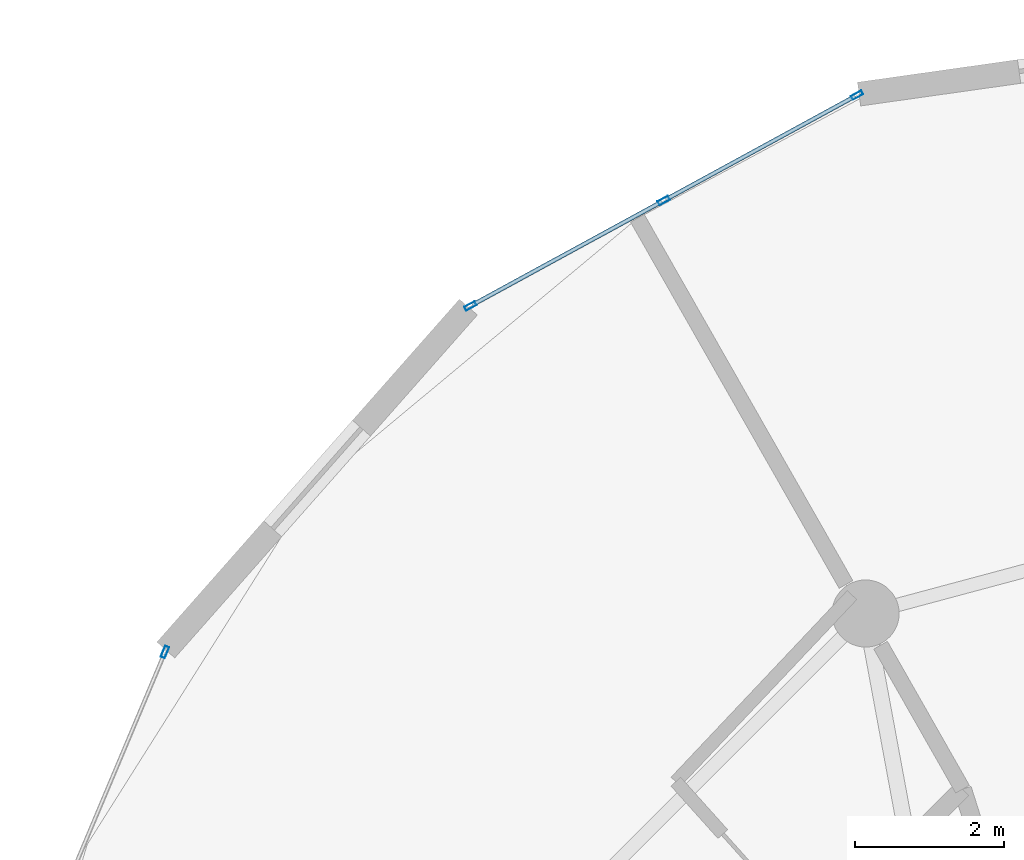
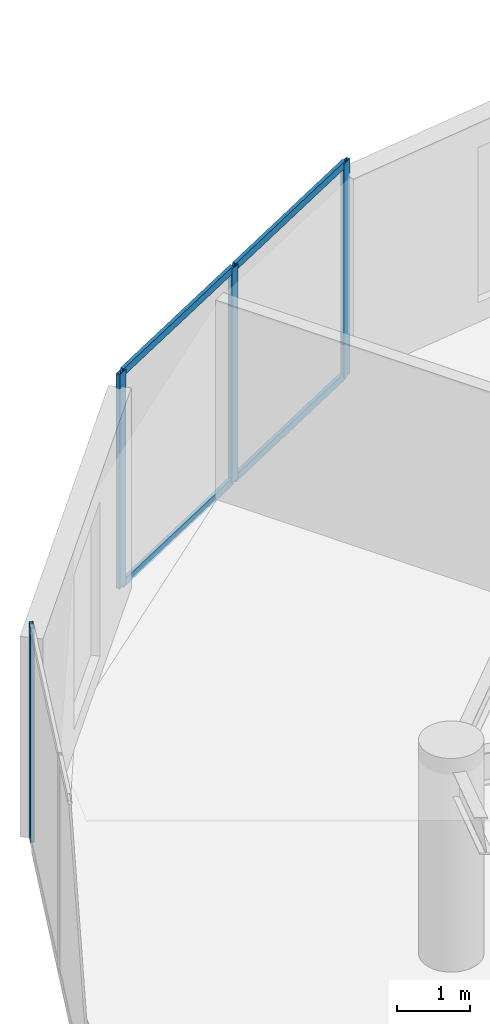
# One storey, part 13 of 21: 8 members, 2 elements without a shape of their own.
"""IFC4 building model written with IfcOpenShell, lengths in metres."""

from ifc_helpers import new_model, si_unit, direction, frame, origin, origin_2d, place, context, subcontext, project, spatial, hollow_rectangle, extrude, source, transform, mapped, material, layer, layer_set, material_profile, profile_set, type_object, element, aggregate, save


model = new_model("IFC4")

# Units and contexts
model_context = context("Model", 3, precision=1e-05, world=origin(), true_north=direction((0.0, 1.0)))
body_context = subcontext(model_context, "Body", "Model", "MODEL_VIEW")
ifc_project = project(units=[si_unit("LENGTHUNIT", "METRE"), si_unit("AREAUNIT", "SQUARE_METRE"), si_unit("VOLUMEUNIT", "CUBIC_METRE"), si_unit("PLANEANGLEUNIT", "RADIAN"), si_unit("MASSUNIT", "GRAM", prefix="KILO")], contexts=[model_context])

# Site, building, storey
site_placement = place(None, origin())
site = spatial("IfcSite", under=ifc_project, at=site_placement, CompositionType="ELEMENT")
building_placement = place(site_placement, origin())
building = spatial("IfcBuilding", under=site, at=building_placement, Name="Solvirekh Grand Hotel", CompositionType="ELEMENT")
storey_placement = place(building_placement, frame((0.0, 0.0, 223.60009765625)))
storey = spatial("IfcBuildingStorey", under=building, at=storey_placement, Name="L58", CompositionType="ELEMENT", Elevation=223.60009765625)

# Curtain wall, members
ifc_material = material(Name="Anodized Bronze Aluminium 6063-T6", Category="aluminium")
ifc_layer = layer(ifc_material, 0.159912109375)
ifc_layer_set = layer_set([ifc_layer], Name="Anodized Bronze Aluminium 6063-T6")
curtain_wall_type = type_object("IfcCurtainWallType", Name="CW_Sys4_HighZoneFlushBronzeCW", PredefinedType="NOTDEFINED", material=ifc_layer_set)
curtain_wall_1_placement = place(storey_placement, origin())
curtain_wall_1 = element("IfcCurtainWall", 1, at=curtain_wall_1_placement, inside=storey, type_object=curtain_wall_type, Name="L58 unitised bronze-glass curtain wall CW-L58-C11", PredefinedType="NOTDEFINED")
ifc_material_profile_1 = material_profile(ifc_material, hollow_rectangle(XDim=0.054931640625, YDim=0.1201171875, WallThickness=0.00390625, at=origin_2d()), Name="ALU RHS 120X55X4")
ifc_profile_set_1 = profile_set([ifc_material_profile_1], Name="Anodized Bronze Aluminium 6063-T6")
member_type_1 = type_object("IfcMemberType", Name="CWTransom_Sys4", PredefinedType="USERDEFINED", material=ifc_profile_set_1)
shared_shape_1 = source(origin(), body_context, "Body", "SweptSolid", [
    extrude(hollow_rectangle(XDim=0.054931640625, YDim=0.1201171875, WallThickness=0.00390625, at=origin_2d()), origin(), (0.0, 0.0, 1.0), 2.893310546875),
])
member_1_placement = place(storey_placement, frame((-8.039794921875, 20.619384765625, 0.02734375), z_axis=(-0.877982626529, -0.478692497866, 0.0), x_axis=(0.478692497866, -0.877982626529, 0.0)))
member_1 = element("IfcMember", 2, at=member_1_placement, type_object=member_type_1, Name="U04 transom 1.1", ObjectType="TRANSOM", PredefinedType="USERDEFINED", context=body_context, shape_type="MappedRepresentation", body=[
    mapped(shared_shape_1, transform((0.0, 0.0, 0.0), x_axis=(1.0, 0.0, 0.0), y_axis=(0.0, 1.0, 0.0), z_axis=(0.0, 0.0, 1.0), scale=1.0)),
])
member_2_placement = place(storey_placement, frame((-8.039794921875, 20.619384765625, 3.572509765625), z_axis=(-0.877982626529, -0.478692497866, 0.0), x_axis=(0.478692497866, -0.877982626529, 0.0)))
member_2 = element("IfcMember", 3, at=member_2_placement, type_object=member_type_1, Name="U04 transom 1.2", ObjectType="TRANSOM", PredefinedType="USERDEFINED", context=body_context, shape_type="MappedRepresentation", body=[
    mapped(shared_shape_1, transform((0.0, 0.0, 0.0), x_axis=(1.0, 0.0, 0.0), y_axis=(0.0, 1.0, 0.0), z_axis=(0.0, 0.0, 1.0), scale=1.0)),
])
member_3_placement = place(storey_placement, frame((-10.6328125, 19.20556640625, 0.02734375), z_axis=(-0.878037418395, -0.478591988962, 0.0), x_axis=(0.478591988962, -0.878037418395, 0.0)))
member_3 = element("IfcMember", 4, at=member_3_placement, type_object=member_type_1, Name="U04 transom 2.1", ObjectType="TRANSOM", PredefinedType="USERDEFINED", context=body_context, shape_type="MappedRepresentation", body=[
    mapped(shared_shape_1, transform((0.0, 0.0, 0.0), x_axis=(1.0, 0.0, 0.0), y_axis=(0.0, 1.0, 0.0), z_axis=(0.0, 0.0, 1.0), scale=1.0)),
])
member_4_placement = place(storey_placement, frame((-10.6328125, 19.20556640625, 3.572509765625), z_axis=(-0.878037418395, -0.478591988962, 0.0), x_axis=(0.478591988962, -0.878037418395, 0.0)))
member_4 = element("IfcMember", 5, at=member_4_placement, type_object=member_type_1, Name="U04 transom 2.2", ObjectType="TRANSOM", PredefinedType="USERDEFINED", context=body_context, shape_type="MappedRepresentation", body=[
    mapped(shared_shape_1, transform((0.0, 0.0, 0.0), x_axis=(1.0, 0.0, 0.0), y_axis=(0.0, 1.0, 0.0), z_axis=(0.0, 0.0, 1.0), scale=1.0)),
])
ifc_material_profile_2 = material_profile(ifc_material, hollow_rectangle(XDim=0.06005859375, YDim=0.159912109375, WallThickness=0.0048828125, at=origin_2d()), Name="ALU RHS 160X60X5")
ifc_profile_set_2 = profile_set([ifc_material_profile_2], Name="Anodized Bronze Aluminium 6063-T6")
member_type_2 = type_object("IfcMemberType", Name="CWMullion_Sys4", PredefinedType="MULLION", material=ifc_profile_set_2)
shared_shape_2 = source(origin(), body_context, "Body", "SweptSolid", [
    extrude(hollow_rectangle(XDim=0.06005859375, YDim=0.159912109375, WallThickness=0.0048828125, at=origin_2d()), origin(), (0.0, 0.0, 1.0), 3.599853515625),
])
member_5_placement = place(storey_placement, frame((-8.013427734375, 20.633544921875, 0.0), z_axis=(0.0, 0.0, 1.0), x_axis=(0.478640759614, -0.878010833211, 0.0)))
member_5 = element("IfcMember", 6, at=member_5_placement, type_object=member_type_2, Name="U04 mullion 1", PredefinedType="MULLION", context=body_context, shape_type="MappedRepresentation", body=[
    mapped(shared_shape_2, transform((0.0, 0.0, 0.0), x_axis=(1.0, 0.0, 0.0), y_axis=(0.0, 1.0, 0.0), z_axis=(0.0, 0.0, 1.0), scale=1.0)),
])
member_6_placement = place(storey_placement, frame((-10.6064453125, 19.219970703125, 0.0), z_axis=(0.0, 0.0, 1.0), x_axis=(0.478640759614, -0.878010833211, 0.0)))
member_6 = element("IfcMember", 7, at=member_6_placement, type_object=member_type_2, Name="U04 mullion 2", PredefinedType="MULLION", context=body_context, shape_type="MappedRepresentation", body=[
    mapped(shared_shape_2, transform((0.0, 0.0, 0.0), x_axis=(1.0, 0.0, 0.0), y_axis=(0.0, 1.0, 0.0), z_axis=(0.0, 0.0, 1.0), scale=1.0)),
])
member_7_placement = place(storey_placement, frame((-13.19970703125, 17.806396484375, 0.0), z_axis=(0.0, 0.0, 1.0), x_axis=(0.478640759614, -0.878010833211, 0.0)))
member_7 = element("IfcMember", 8, at=member_7_placement, type_object=member_type_2, Name="U04 mullion 3", PredefinedType="MULLION", context=body_context, shape_type="MappedRepresentation", body=[
    mapped(shared_shape_2, transform((0.0, 0.0, 0.0), x_axis=(1.0, 0.0, 0.0), y_axis=(0.0, 1.0, 0.0), z_axis=(0.0, 0.0, 1.0), scale=1.0)),
])
aggregate(curtain_wall_1, [member_5, member_6, member_7, member_1, member_2, member_3, member_4])

# Curtain wall, member
curtain_wall_2_placement = place(storey_placement, origin())
curtain_wall_2 = element("IfcCurtainWall", 9, at=curtain_wall_2_placement, inside=storey, type_object=curtain_wall_type, Name="L58 unitised bronze-glass curtain wall CW-L58-C13", PredefinedType="NOTDEFINED")
member_8_placement = place(storey_placement, frame((-17.294677734375, 13.166259765625, 0.0), z_axis=(0.0, 0.0, 1.0), x_axis=(0.921723736836, -0.387847074185, 0.0)))
member_8 = element("IfcMember", 10, at=member_8_placement, type_object=member_type_2, Name="U04 mullion 1", PredefinedType="MULLION", context=body_context, shape_type="MappedRepresentation", body=[
    mapped(shared_shape_2, transform((0.0, 0.0, 0.0), x_axis=(1.0, 0.0, 0.0), y_axis=(0.0, 1.0, 0.0), z_axis=(0.0, 0.0, 1.0), scale=1.0)),
])
aggregate(curtain_wall_2, [member_8])

save(model, "model.ifc")
